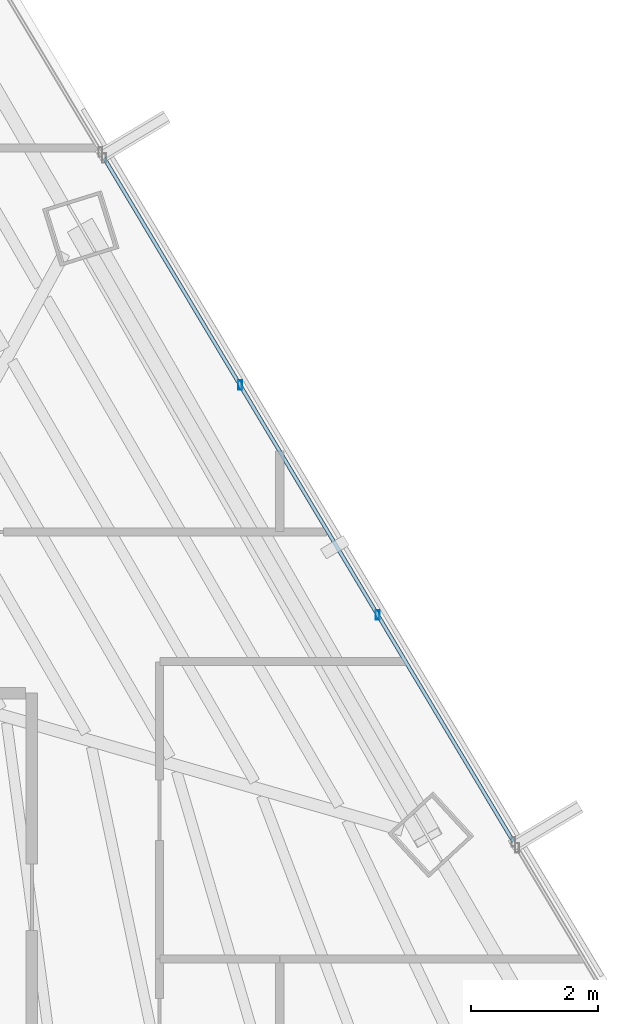
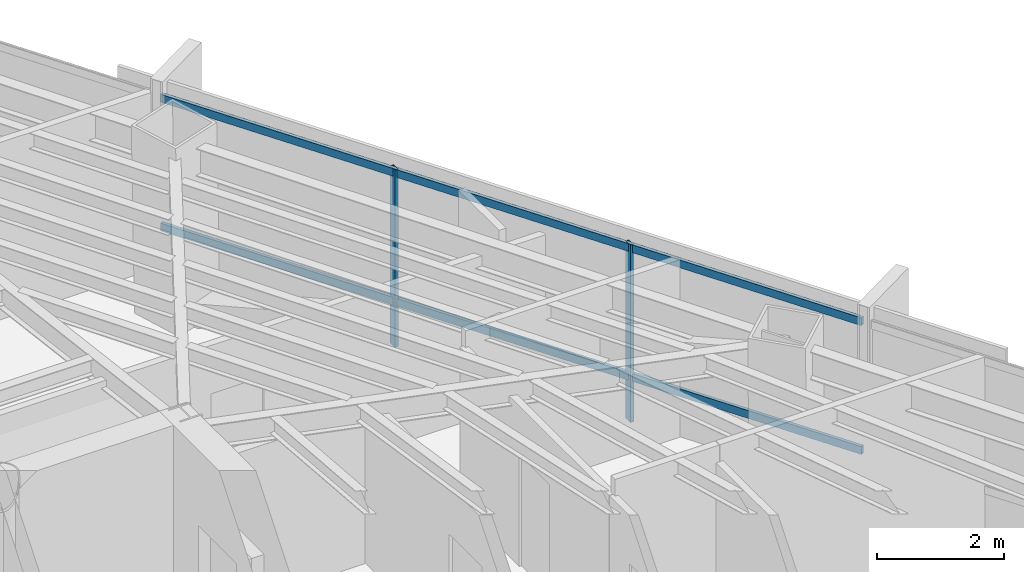
# One storey, part 25 of 41: 4 members, 1 element without a shape of its own.
"""IFC4 building model written with IfcOpenShell, lengths in metres."""

import ifcopenshell
import ifcopenshell.guid

model = None  # the IFC model being written
_history = None  # IfcOwnerHistory: only IFC2X3 demands one
_inside = {}  # id of a spatial element -> (the spatial element, [elements in it])
_under = {}  # id of a project, library or spatial element -> (it, [spatial elements below it])
_declared = {}  # id of a project -> (the project, [libraries it declares])
_typed = {}  # id of a type object -> (the type object, [elements of that type])
_made_of = {}  # id of a material, layer set ... -> (it, [elements and type objects made of it])


def new_model(schema):
    """Start an empty IFC model of exactly this schema.

    Asked for "IFC4X3", IfcOpenShell would pick the latest addendum, in which some entities
    have other attributes; the version numbers below select the first issue.
    IFC2X3 requires an IfcOwnerHistory on every rooted entity: one is made here for all.
    """
    global model, _history
    if schema == "IFC4X3":
        model = ifcopenshell.file(schema_version=(4, 3, 0, 0))
    else:
        model = ifcopenshell.file(schema=schema)
    _inside.clear()
    _under.clear()
    _declared.clear()
    _typed.clear()
    _made_of.clear()
    _history = None
    if model.schema == "IFC2X3":
        org = make("IfcOrganization", Name="unknown")
        user = make(
            "IfcPersonAndOrganization",
            ThePerson=make("IfcPerson", FamilyName="unknown"),
            TheOrganization=org,
        )
        app = make(
            "IfcApplication",
            ApplicationDeveloper=org,
            Version="unknown",
            ApplicationFullName="unknown",
            ApplicationIdentifier="unknown",
        )
        _history = make(
            "IfcOwnerHistory",
            OwningUser=user,
            OwningApplication=app,
            ChangeAction="ADDED",
            CreationDate=0,
        )
    return model


def make(cls, **values):
    """One entity of the class cls with the attributes given. An attribute that is None is left unset."""
    return model.create_entity(
        cls, **{name: value for name, value in values.items() if value is not None}
    )


def rooted(cls, **values):
    """An entity with a GlobalId (a new one), such as an element, a storey or a relation."""
    return make(cls, GlobalId=ifcopenshell.guid.new(), OwnerHistory=_history, **values)


def si_unit(unit_type, name, prefix=None):
    """IfcSIUnit, for example si_unit("LENGTHUNIT", "METRE", prefix="MILLI")."""
    return make("IfcSIUnit", UnitType=unit_type, Prefix=prefix, Name=name)


def assignment(units):
    """IfcUnitAssignment: the units of a project."""
    return None if units is None else make("IfcUnitAssignment", Units=units)


def point(xyz):
    """IfcCartesianPoint."""
    return None if xyz is None else make("IfcCartesianPoint", Coordinates=xyz)


def direction(xyz):
    """IfcDirection."""
    return None if xyz is None else make("IfcDirection", DirectionRatios=xyz)


def frame(location, z_axis=None, x_axis=None):
    """IfcAxis2Placement3D, a coordinate frame: its origin and axes. An axis left out is left unset."""
    return make(
        "IfcAxis2Placement3D",
        Location=point(location),
        Axis=direction(z_axis),
        RefDirection=direction(x_axis),
    )


def frame_2d(location, x_axis=None):
    """IfcAxis2Placement2D, a coordinate frame in the plane: its origin and x axis."""
    return make(
        "IfcAxis2Placement2D", Location=point(location), RefDirection=direction(x_axis)
    )


def origin():
    """The frame at (0, 0, 0) with its axes left unset."""
    return frame((0.0, 0.0, 0.0))


def origin_2d():
    """The frame at (0, 0) in the plane with its x axis left unset."""
    return frame_2d((0.0, 0.0))


def place(relative_to, where):
    """IfcLocalPlacement: puts the frame where relative to a parent placement (None: the world)."""
    return make(
        "IfcLocalPlacement", PlacementRelTo=relative_to, RelativePlacement=where
    )


def context(
    kind, dimensions, precision=None, world=None, true_north=None, identifier=None
):
    """IfcGeometricRepresentationContext, for example the 3D "Model" context."""
    return make(
        "IfcGeometricRepresentationContext",
        ContextIdentifier=identifier,
        ContextType=kind,
        CoordinateSpaceDimension=dimensions,
        Precision=precision,
        WorldCoordinateSystem=world,
        TrueNorth=true_north,
    )


def subcontext(parent, identifier, kind, view, scale=None):
    """IfcGeometricRepresentationSubContext, for example "Body" below "Model"."""
    return make(
        "IfcGeometricRepresentationSubContext",
        ContextIdentifier=identifier,
        ContextType=kind,
        ParentContext=parent,
        TargetScale=scale,
        TargetView=view,
    )


def project(units=None, contexts=None):
    """IfcProject with its units and contexts."""
    return rooted(
        "IfcProject",
        Name="project",
        RepresentationContexts=contexts,
        UnitsInContext=assignment(units),
    )


def spatial(cls, under=None, at=None, **own):
    """A site, building, storey or space (cls), placed at a placement, below another one or the project."""
    s = rooted(cls, ObjectPlacement=at, **own)
    if under is not None:
        _under.setdefault(under.id(), (under, []))[1].append(s)
    return s


def profile(cls, at=None, kind="AREA", **sizes):
    """A parametric profile (cls). Its sizes go by their IFC names, for example OverallWidth=200.0."""
    return make(cls, ProfileType=kind, Position=at, **sizes)


def hollow_rectangle(**sizes):
    """IfcRectangleHollowProfileDef."""
    return profile("IfcRectangleHollowProfileDef", **sizes)


def extrude(swept, where, along, depth):
    """IfcExtrudedAreaSolid: the profile swept, set in the frame where, extruded along a direction by depth."""
    return make(
        "IfcExtrudedAreaSolid",
        SweptArea=swept,
        Position=where,
        ExtrudedDirection=direction(along),
        Depth=depth,
    )


def shape(context_of_items, identifier, shape_type, items):
    """IfcShapeRepresentation: the items that make up one representation, for example the "Body"."""
    return make(
        "IfcShapeRepresentation",
        ContextOfItems=context_of_items,
        RepresentationIdentifier=identifier,
        RepresentationType=shape_type,
        Items=items,
    )


def source(mapping_origin, context_of_items, identifier, shape_type, items):
    """IfcRepresentationMap: a shape defined once, which mapped items show again and again."""
    return make(
        "IfcRepresentationMap",
        MappingOrigin=mapping_origin,
        MappedRepresentation=shape(context_of_items, identifier, shape_type, items),
    )


def transform(
    local_origin,
    x_axis=None,
    y_axis=None,
    z_axis=None,
    scale=None,
    scale2=None,
    scale3=None,
    uniform=True,
):
    """IfcCartesianTransformationOperator3D, or its non-uniform kind. x_axis, y_axis, z_axis: its Axis1, 2, 3."""
    if uniform:
        return make(
            "IfcCartesianTransformationOperator3D",
            Axis1=direction(x_axis),
            Axis2=direction(y_axis),
            LocalOrigin=point(local_origin),
            Scale=scale,
            Axis3=direction(z_axis),
        )
    return make(
        "IfcCartesianTransformationOperator3DnonUniform",
        Axis1=direction(x_axis),
        Axis2=direction(y_axis),
        LocalOrigin=point(local_origin),
        Scale=scale,
        Axis3=direction(z_axis),
        Scale2=scale2,
        Scale3=scale3,
    )


def mapped(mapping_source, mapping_target):
    """IfcMappedItem: shows the shape of a source again, moved by a transform."""
    return make(
        "IfcMappedItem", MappingSource=mapping_source, MappingTarget=mapping_target
    )


def material(Name=None, Category=None):
    """IfcMaterial."""
    return make("IfcMaterial", Name=Name, Category=Category)


def material_profile(
    of_material, cross_section, Name=None, Category=None, Priority=None
):
    """IfcMaterialProfile: a cross section and its material."""
    return make(
        "IfcMaterialProfile",
        Name=Name,
        Material=of_material,
        Profile=cross_section,
        Priority=Priority,
        Category=Category,
    )


def profile_set(profiles, Name=None, composite=None):
    """IfcMaterialProfileSet."""
    return make(
        "IfcMaterialProfileSet",
        Name=Name,
        MaterialProfiles=profiles,
        CompositeProfile=composite,
    )


def made_of(thing, what):
    """Note that an element or type object is made of a material, layer set ...; save() writes the relation."""
    if what is not None:
        _made_of.setdefault(what.id(), (what, []))[1].append(thing)
    return thing


def type_object(cls, material=None, **own):
    """A type object (cls), such as IfcWallType, which elements share."""
    return made_of(rooted(cls, **own), material)


def type_shapes(of_type, sources):
    """Give a type object the sources (RepresentationMaps) that its elements show as mapped items."""
    of_type.RepresentationMaps = sources


def element(
    cls,
    number,
    at=None,
    inside=None,
    cuts=None,
    type_object=None,
    material=None,
    context=None,
    identifier="Body",
    shape_type=None,
    held_by="IfcProductDefinitionShape",
    body=None,
    shapes=None,
    **own,
):
    """One element of the class cls, such as IfcWall. Its Tag is "e" and its number.

    at: its placement. inside: the storey or other place that contains it. cuts: it is an
    opening in that element (IfcRelVoidsElement). A single representation is given by context,
    identifier, shape_type and body (its items); several are given by shapes. held_by: the class
    of the entity that holds the representations. save() writes the other relations.
    """
    e = rooted(cls, Tag="e%d" % number, ObjectPlacement=at, **own)
    if body is not None:
        shapes = [shape(context, identifier, shape_type, body)]
    if shapes is not None:
        e.Representation = make(held_by, Representations=shapes)
    if inside is not None:
        _inside.setdefault(inside.id(), (inside, []))[1].append(e)
    if cuts is not None:
        rooted(
            "IfcRelVoidsElement", RelatingBuildingElement=cuts, RelatedOpeningElement=e
        )
    if type_object is not None:
        _typed.setdefault(type_object.id(), (type_object, []))[1].append(e)
    return made_of(e, material)


def aggregate(whole, parts):
    """IfcRelAggregates: a whole, such as a stair, and the parts it consists of."""
    return rooted("IfcRelAggregates", RelatingObject=whole, RelatedObjects=parts)


def save(model, path):
    """Write the relations noted so far, then the file.

    IfcRelAggregates (storeys below a building ...), IfcRelContainedInSpatialStructure (elements
    in a storey), IfcRelDefinesByType, IfcRelAssociatesMaterial and IfcRelDeclares: one each for
    every whole, place, type object, material and project.
    """
    for whole, parts in _under.values():
        aggregate(whole, parts)
    for where, things in _inside.values():
        rooted(
            "IfcRelContainedInSpatialStructure",
            RelatedElements=things,
            RelatingStructure=where,
        )
    for kind, things in _typed.values():
        rooted("IfcRelDefinesByType", RelatedObjects=things, RelatingType=kind)
    for what, things in _made_of.values():
        rooted("IfcRelAssociatesMaterial", RelatedObjects=things, RelatingMaterial=what)
    for by, libraries in _declared.values():
        rooted("IfcRelDeclares", RelatingContext=by, RelatedDefinitions=libraries)
    model.write(path)


model = new_model("IFC4")

# Units and contexts
model_context = context("Model", 3, precision=1e-05, world=origin(), true_north=direction((0.0, 1.0)))
body_context = subcontext(model_context, "Body", "Model", "MODEL_VIEW")
ifc_project = project(units=[si_unit("LENGTHUNIT", "METRE"), si_unit("AREAUNIT", "SQUARE_METRE"), si_unit("VOLUMEUNIT", "CUBIC_METRE"), si_unit("PLANEANGLEUNIT", "RADIAN"), si_unit("MASSUNIT", "GRAM", prefix="KILO")], contexts=[model_context])

# Site, building, storey
site_placement = place(None, origin())
site = spatial("IfcSite", under=ifc_project, at=site_placement, CompositionType="ELEMENT")
building_placement = place(site_placement, origin())
building = spatial("IfcBuilding", under=site, at=building_placement, Name="Caelisora Broadcast Tower", CompositionType="ELEMENT")
storey_placement = place(building_placement, frame((0.0, 0.0, 173.10009765625)))
storey = spatial("IfcBuildingStorey", under=building, at=storey_placement, Name="L45", CompositionType="ELEMENT", Elevation=173.10009765625)

# Curtain wall, members
ifc_material_1 = material(Name="Unitised Aluminium Insulated Shadow-Box Spandrel Curtain Wall", Category="aluminium")
curtain_wall_type = type_object("IfcCurtainWallType", Name="CW-SP2", PredefinedType="NOTDEFINED", material=ifc_material_1)
curtain_wall_placement = place(storey_placement, origin())
curtain_wall = element("IfcCurtainWall", 1, at=curtain_wall_placement, inside=storey, type_object=curtain_wall_type, Name="L45 curtain wall CW-SP2", PredefinedType="NOTDEFINED")
ifc_material_2 = material(Name="Aluminium 6063-T6 Anodised Terracotta Bronze", Category="aluminium")
ifc_material_profile_1 = material_profile(ifc_material_2, hollow_rectangle(XDim=0.06005859375, YDim=0.14990234375, WallThickness=0.00341796875, at=origin_2d()), Name="Aluminium 6063-T6 Anodised Terracotta Bronze")
ifc_profile_set_1 = profile_set([ifc_material_profile_1], Name="Aluminium 6063-T6 Anodised Terracotta Bronze")
member_type_1 = type_object("IfcMemberType", Name="CWM-03", PredefinedType="MULLION", material=ifc_profile_set_1)
shared_shape_1 = source(origin(), body_context, "Body", "SweptSolid", [
    extrude(hollow_rectangle(XDim=0.06005859375, YDim=0.14990234375, WallThickness=0.00341796875, at=origin_2d()), origin(), (0.0, 0.0, 1.0), 3.39990234375),
])
type_shapes(member_type_1, [shared_shape_1])
member_1_placement = place(storey_placement, frame((51.87255859375, 34.470703125, 0.0), z_axis=(0.0, 0.0, 1.0), x_axis=(1.0, 0.0, 0.0)))
member_1 = element("IfcMember", 2, at=member_1_placement, type_object=member_type_1, Name="L45-CW-B02 mullion #1", PredefinedType="MULLION", context=body_context, shape_type="MappedRepresentation", body=[
    mapped(shared_shape_1, transform((0.0, 0.0, 0.0), scale=1.0)),
])
member_2_placement = place(storey_placement, frame((54.04736328125, 30.8388671875, 0.0), z_axis=(0.0, 0.0, 1.0), x_axis=(1.0, 0.0, 0.0)))
member_2 = element("IfcMember", 3, at=member_2_placement, type_object=member_type_1, Name="L45-CW-B02 mullion #2", PredefinedType="MULLION", context=body_context, shape_type="MappedRepresentation", body=[
    mapped(shared_shape_1, transform((0.0, 0.0, 0.0), scale=1.0)),
])
ifc_material_profile_2 = material_profile(ifc_material_2, hollow_rectangle(XDim=0.06005859375, YDim=0.14990234375, WallThickness=0.00341796875, at=origin_2d()), Name="Aluminium 6063-T6 Anodised Terracotta Bronze")
ifc_profile_set_2 = profile_set([ifc_material_profile_2], Name="Aluminium 6063-T6 Anodised Terracotta Bronze")
member_type_2 = type_object("IfcMemberType", Name="CWT-02", PredefinedType="USERDEFINED", material=ifc_profile_set_2)
shared_shape_2 = source(origin(), body_context, "Body", "SweptSolid", [
    extrude(hollow_rectangle(XDim=0.06005859375, YDim=0.14990234375, WallThickness=0.00341796875, at=origin_2d()), origin(), (0.0, 0.0, 1.0), 12.60009765625),
])
type_shapes(member_type_2, [shared_shape_2])
member_3_placement = place(storey_placement, frame((49.723388671875, 38.06005859375, 0.849853515625), z_axis=(0.513720498314, -0.857957603622, 0.0), x_axis=(0.857957603622, 0.513720498314, 0.0)))
member_3 = element("IfcMember", 4, at=member_3_placement, type_object=member_type_2, Name="L45-CW-B02 transom #1", ObjectType="TRANSOM", PredefinedType="USERDEFINED", context=body_context, shape_type="MappedRepresentation", body=[
    mapped(shared_shape_2, transform((0.0, 0.0, 0.0), scale=1.0)),
])
member_4_placement = place(storey_placement, frame((49.723388671875, 38.06005859375, 3.31982421875), z_axis=(0.513720498314, -0.857957603622, 0.0), x_axis=(0.857957603622, 0.513720498314, 0.0)))
member_4 = element("IfcMember", 5, at=member_4_placement, type_object=member_type_2, Name="L45-CW-B02 transom #2", ObjectType="TRANSOM", PredefinedType="USERDEFINED", context=body_context, shape_type="MappedRepresentation", body=[
    mapped(shared_shape_2, transform((0.0, 0.0, 0.0), scale=1.0)),
])
aggregate(curtain_wall, [member_1, member_2, member_3, member_4])

save(model, "model.ifc")
